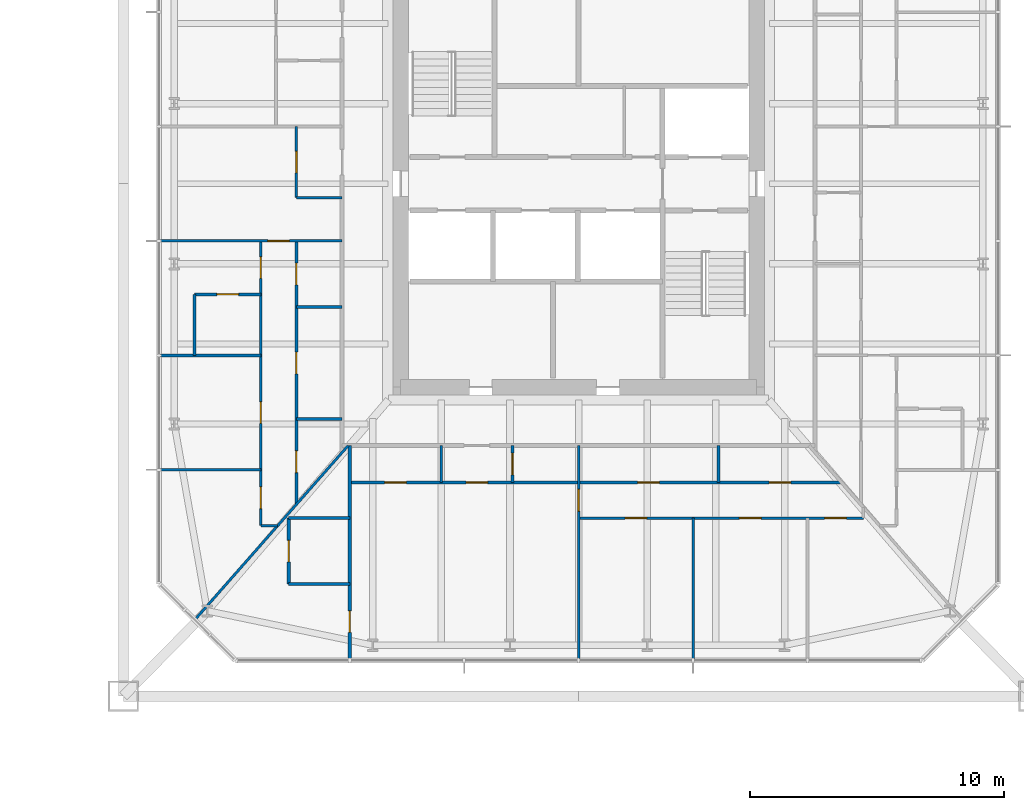
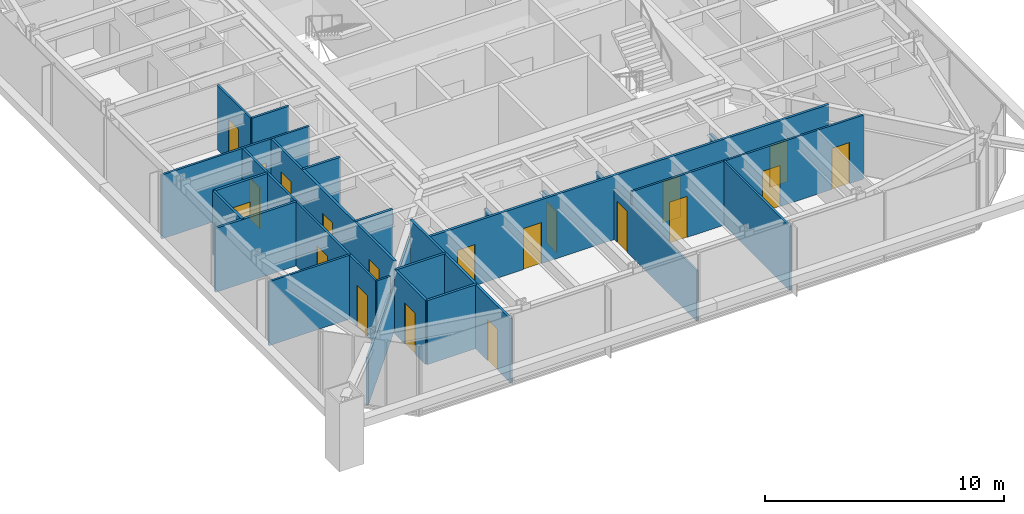
# One storey, part 19 of 27: 24 walls, 20 doors, 20 openings.
"""IFC4 building model written with IfcOpenShell, lengths in metres."""

from ifc_helpers import new_model, si_unit, direction, frame, frame_2d, origin, place, context, subcontext, project, spatial, rectangle, extrude, material, layer, layer_set, type_object, element, fill, save


model = new_model("IFC4")

# Units and contexts
model_context = context("Model", 3, precision=1e-05, world=origin(), true_north=direction((0.0, 1.0)))
body_context = subcontext(model_context, "Body", "Model", "MODEL_VIEW")
ifc_project = project(units=[si_unit("LENGTHUNIT", "METRE"), si_unit("AREAUNIT", "SQUARE_METRE"), si_unit("VOLUMEUNIT", "CUBIC_METRE"), si_unit("PLANEANGLEUNIT", "RADIAN"), si_unit("MASSUNIT", "GRAM", prefix="KILO")], contexts=[model_context])

# Site, building, storey
site_placement = place(None, origin())
site = spatial("IfcSite", under=ifc_project, at=site_placement, CompositionType="ELEMENT")
building_placement = place(site_placement, origin())
building = spatial("IfcBuilding", under=site, at=building_placement, Name="Iwan Alto Co-Living Towers", CompositionType="ELEMENT")
storey_placement = place(building_placement, frame((0.0, 0.0, 53.5)))
storey = spatial("IfcBuildingStorey", under=building, at=storey_placement, Name="L14", CompositionType="ELEMENT", Elevation=53.5)

# Wall
ifc_material_1 = material(Name="Gypsum board")
ifc_layer_1 = layer(ifc_material_1, 0.012451171875, Name="Board", Category="Finish")
ifc_material_2 = material(Name="Steel ASTM A1003 ST33H cold-formed studs", Category="steel")
ifc_layer_2 = layer(ifc_material_2, 0.074951171875, Name="Studs", Category="Framing")
ifc_layer_3 = layer(ifc_material_1, 0.012451171875, Name="Board", Category="Finish")
ifc_layer_set_1 = layer_set([ifc_layer_1, ifc_layer_2, ifc_layer_3], Name="PARTITION 100")
wall_type_1 = type_object("IfcWallType", Name="PARTITION 100", PredefinedType="PARTITIONING", material=ifc_layer_set_1)
wall_1_placement = place(storey_placement, frame((50.5, -13.449951171875, 0.0), z_axis=(0.0, 0.0, 1.0), x_axis=(1.0, 0.0, 0.0)))
element("IfcWall", 1, at=wall_1_placement, inside=storey, type_object=wall_type_1, Name="Partition L14", PredefinedType="PARTITIONING", context=body_context, shape_type="SweptSolid", body=[
    extrude(rectangle(XDim=0.6640625, YDim=0.10009765625, at=frame_2d((0.33203125, 0.0))), origin(), (0.0, 0.0, 1.0), 3.27001953125),
])

# Wall, openings, doors
wall_2_placement = place(storey_placement, frame((63.0, -13.14990234375, 0.0), z_axis=(0.0, 0.0, 1.0), x_axis=(1.0, 0.0, 0.0)))
wall_2 = element("IfcWall", 2, at=wall_2_placement, inside=storey, type_object=wall_type_1, Name="Partition L14", PredefinedType="PARTITIONING", context=body_context, shape_type="SweptSolid", body=[
    extrude(rectangle(XDim=11.199951171875, YDim=0.10009765625, at=frame_2d((5.60009765625, 0.0))), origin(), (0.0, 0.0, 1.0), 3.27001953125),
])
opening_1_placement = place(wall_2_placement, frame((1.824951171875, 0.0, 0.0)))
opening_1 = element("IfcOpeningElement", 3, at=opening_1_placement, cuts=wall_2, Name="Opening D2", PredefinedType="OPENING", context=body_context, shape_type="SweptSolid", body=[
    extrude(rectangle(XDim=0.85009765625, YDim=2.10009765625, at=frame_2d((0.425048828125, 1.050048828125))), frame((0.0, 0.06005859375, 0.0), z_axis=(0.0, -1.0, 0.0), x_axis=(1.0, 0.0, 0.0)), (0.0, 0.0, 1.0), 0.1201171875),
])
opening_2_placement = place(wall_2_placement, frame((6.324951171875, 0.0, 0.0)))
opening_2 = element("IfcOpeningElement", 4, at=opening_2_placement, cuts=wall_2, Name="Opening D2", PredefinedType="OPENING", context=body_context, shape_type="SweptSolid", body=[
    extrude(rectangle(XDim=0.85009765625, YDim=2.10009765625, at=frame_2d((0.425048828125, 1.050048828125))), frame((0.0, 0.06005859375, 0.0), z_axis=(0.0, -1.0, 0.0), x_axis=(1.0, 0.0, 0.0)), (0.0, 0.0, 1.0), 0.1201171875),
])
opening_3_placement = place(wall_2_placement, frame((9.675048828125, 0.0, 0.0)))
opening_3 = element("IfcOpeningElement", 5, at=opening_3_placement, cuts=wall_2, Name="Opening D2", PredefinedType="OPENING", context=body_context, shape_type="SweptSolid", body=[
    extrude(rectangle(XDim=0.85009765625, YDim=2.10009765625, at=frame_2d((0.425048828125, 1.050048828125))), frame((0.0, 0.06005859375, 0.0), z_axis=(0.0, -1.0, 0.0), x_axis=(1.0, 0.0, 0.0)), (0.0, 0.0, 1.0), 0.1201171875),
])
ifc_material_3 = material(Name="Timber leaf in steel frame", Category="steel")
door_type = type_object("IfcDoorType", Name="ROOM DOOR 850X2100", OperationType="SINGLE_SWING_LEFT", PredefinedType="DOOR", material=ifc_material_3)
door_1_placement = place(opening_1_placement, frame((0.85009765625, 0.0, 0.0), z_axis=(0.0, 0.0, 1.0), x_axis=(-1.0, 0.0, 0.0)))
door_1 = element("IfcDoor", 6, at=door_1_placement, inside=storey, type_object=door_type, Name="Study door L14", OperationType="SINGLE_SWING_RIGHT", OverallHeight=2.10009765625, OverallWidth=0.85009765625, PredefinedType="DOOR", context=body_context, shape_type="SweptSolid", body=[
    extrude(rectangle(XDim=0.85009765625, YDim=2.10009765625, at=frame_2d((0.425048828125, 1.050048828125))), frame((0.0, 0.02490234375, 0.0), z_axis=(0.0, -1.0, 0.0), x_axis=(1.0, 0.0, 0.0)), (0.0, 0.0, 1.0), 0.050048828125),
])
fill(opening_1, door_1)
door_2_placement = place(opening_2_placement, frame((0.85009765625, 0.0, 0.0), z_axis=(0.0, 0.0, 1.0), x_axis=(-1.0, 0.0, 0.0)))
door_2 = element("IfcDoor", 7, at=door_2_placement, inside=storey, type_object=door_type, Name="Bedroom door L14", OperationType="SINGLE_SWING_RIGHT", OverallHeight=2.10009765625, OverallWidth=0.85009765625, PredefinedType="DOOR", context=body_context, shape_type="SweptSolid", body=[
    extrude(rectangle(XDim=0.85009765625, YDim=2.10009765625, at=frame_2d((0.425048828125, 1.050048828125))), frame((0.0, 0.02490234375, 0.0), z_axis=(0.0, -1.0, 0.0), x_axis=(1.0, 0.0, 0.0)), (0.0, 0.0, 1.0), 0.050048828125),
])
fill(opening_2, door_2)
door_3_placement = place(opening_3_placement, frame((0.85009765625, 0.0, 0.0), z_axis=(0.0, 0.0, 1.0), x_axis=(-1.0, 0.0, 0.0)))
door_3 = element("IfcDoor", 8, at=door_3_placement, inside=storey, type_object=door_type, Name="Bedroom door L14", OperationType="SINGLE_SWING_RIGHT", OverallHeight=2.10009765625, OverallWidth=0.85009765625, PredefinedType="DOOR", context=body_context, shape_type="SweptSolid", body=[
    extrude(rectangle(XDim=0.85009765625, YDim=2.10009765625, at=frame_2d((0.425048828125, 1.050048828125))), frame((0.0, 0.02490234375, 0.0), z_axis=(0.0, -1.0, 0.0), x_axis=(1.0, 0.0, 0.0)), (0.0, 0.0, 1.0), 0.050048828125),
])
fill(opening_3, door_3)

# Wall
wall_3_placement = place(storey_placement, frame((46.56005859375, -11.25, 0.0), z_axis=(0.0, 0.0, 1.0), x_axis=(1.0, 0.0, 0.0)))
element("IfcWall", 9, at=wall_3_placement, inside=storey, type_object=wall_type_1, Name="Partition L14", PredefinedType="PARTITIONING", context=body_context, shape_type="SweptSolid", body=[
    extrude(rectangle(XDim=3.93994140625, YDim=0.10009765625, at=frame_2d((1.969970703125, 0.0))), origin(), (0.0, 0.0, 1.0), 3.27001953125),
])

# Wall, opening, door
wall_4_placement = place(storey_placement, frame((46.56005859375, -2.25, 0.0), z_axis=(0.0, 0.0, 1.0), x_axis=(1.0, 0.0, 0.0)))
wall_4 = element("IfcWall", 10, at=wall_4_placement, inside=storey, type_object=wall_type_1, Name="Partition L14", PredefinedType="PARTITIONING", context=body_context, shape_type="SweptSolid", body=[
    extrude(rectangle(XDim=7.139892578125, YDim=0.10009765625, at=frame_2d((3.56982421875, 0.0))), origin(), (0.0, 0.0, 1.0), 3.27001953125),
])
opening_4_placement = place(wall_4_placement, frame((4.215087890625, 0.0, 0.0)))
opening_4 = element("IfcOpeningElement", 11, at=opening_4_placement, cuts=wall_4, Name="Opening D2", PredefinedType="OPENING", context=body_context, shape_type="SweptSolid", body=[
    extrude(rectangle(XDim=0.85009765625, YDim=2.10009765625, at=frame_2d((0.425048828125, 1.050048828125))), frame((0.0, 0.06005859375, 0.0), z_axis=(0.0, -1.0, 0.0), x_axis=(1.0, 0.0, 0.0)), (0.0, 0.0, 1.0), 0.1201171875),
])
door_4_placement = place(opening_4_placement, origin())
door_4 = element("IfcDoor", 12, at=door_4_placement, inside=storey, type_object=door_type, Name="Apartment hall door L14", OperationType="SINGLE_SWING_RIGHT", OverallHeight=2.10009765625, OverallWidth=0.85009765625, PredefinedType="DOOR", context=body_context, shape_type="SweptSolid", body=[
    extrude(rectangle(XDim=0.85009765625, YDim=2.10009765625, at=frame_2d((0.425048828125, 1.050048828125))), frame((0.0, 0.02490234375, 0.0), z_axis=(0.0, -1.0, 0.0), x_axis=(1.0, 0.0, 0.0)), (0.0, 0.0, 1.0), 0.050048828125),
])
fill(opening_4, door_4)

# Walls
wall_5_placement = place(storey_placement, frame((51.89990234375, -0.550048828125, 0.0), z_axis=(0.0, 0.0, 1.0), x_axis=(1.0, 0.0, 0.0)))
element("IfcWall", 13, at=wall_5_placement, inside=storey, type_object=wall_type_1, Name="Partition L14", PredefinedType="PARTITIONING", context=body_context, shape_type="SweptSolid", body=[
    extrude(rectangle(XDim=1.800048828125, YDim=0.10009765625, at=frame_2d((0.89990234375, 0.0))), origin(), (0.0, 0.0, 1.0), 3.27001953125),
])
wall_6_placement = place(storey_placement, frame((47.944091796875, -17.10888671875, 0.0), z_axis=(0.0, 0.0, 1.0), x_axis=(0.660638210404, 0.750704439146, 0.0)))
element("IfcWall", 14, at=wall_6_placement, inside=storey, type_object=wall_type_1, Name="Partition L14", PredefinedType="PARTITIONING", context=body_context, shape_type="SweptSolid", body=[
    extrude(rectangle(XDim=9.06982421875, YDim=0.10009765625, at=frame_2d((4.534912109375, 0.0))), origin(), (0.0, 0.0, 1.0), 2.42919921875),
])
wall_7_placement = place(storey_placement, frame((67.5, -18.68994140625, 0.0), z_axis=(0.0, 0.0, 1.0), x_axis=(0.0, 1.0, 0.0)))
element("IfcWall", 15, at=wall_7_placement, inside=storey, type_object=wall_type_1, Name="Partition L14", PredefinedType="PARTITIONING", context=body_context, shape_type="SweptSolid", body=[
    extrude(rectangle(XDim=5.5400390625, YDim=0.10009765625, at=frame_2d((2.77001953125, 0.0))), origin(), (0.0, 0.0, 1.0), 3.27001953125),
])

# Wall, opening, door
wall_8_placement = place(storey_placement, frame((63.0, -18.68994140625, 0.0), z_axis=(0.0, 0.0, 1.0), x_axis=(0.0, 1.0, 0.0)))
wall_8 = element("IfcWall", 16, at=wall_8_placement, inside=storey, type_object=wall_type_1, Name="Partition L14", PredefinedType="PARTITIONING", context=body_context, shape_type="SweptSolid", body=[
    extrude(rectangle(XDim=8.389892578125, YDim=0.10009765625, at=frame_2d((4.19482421875, 0.0))), origin(), (0.0, 0.0, 1.0), 2.586669921875),
])
opening_5_placement = place(wall_8_placement, frame((5.81494140625, 0.0, 0.0)))
opening_5 = element("IfcOpeningElement", 17, at=opening_5_placement, cuts=wall_8, Name="Opening D2", PredefinedType="OPENING", context=body_context, shape_type="SweptSolid", body=[
    extrude(rectangle(XDim=0.85009765625, YDim=2.10009765625, at=frame_2d((0.425048828125, 1.050048828125))), frame((0.0, 0.06005859375, 0.0), z_axis=(0.0, -1.0, 0.0), x_axis=(1.0, 0.0, 0.0)), (0.0, 0.0, 1.0), 0.1201171875),
])
door_5_placement = place(opening_5_placement, origin())
door_5 = element("IfcDoor", 18, at=door_5_placement, inside=storey, type_object=door_type, Name="Apartment hall door L14", OperationType="SINGLE_SWING_RIGHT", OverallHeight=2.10009765625, OverallWidth=0.85009765625, PredefinedType="DOOR", context=body_context, shape_type="SweptSolid", body=[
    extrude(rectangle(XDim=0.85009765625, YDim=2.10009765625, at=frame_2d((0.425048828125, 1.050048828125))), frame((0.0, 0.02490234375, 0.0), z_axis=(0.0, -1.0, 0.0), x_axis=(1.0, 0.0, 0.0)), (0.0, 0.0, 1.0), 0.050048828125),
])
fill(opening_5, door_5)

# Wall
wall_9_placement = place(storey_placement, frame((57.60009765625, -11.75, 0.0), z_axis=(0.0, 0.0, 1.0), x_axis=(0.0, 1.0, 0.0)))
element("IfcWall", 19, at=wall_9_placement, inside=storey, type_object=wall_type_1, Name="Partition L14", PredefinedType="PARTITIONING", context=body_context, shape_type="SweptSolid", body=[
    extrude(rectangle(XDim=1.449951171875, YDim=0.10009765625, at=frame_2d((0.72509765625, 0.0))), origin(), (0.0, 0.0, 1.0), 2.586669921875),
])

# Wall, opening, door
wall_10_placement = place(storey_placement, frame((51.89990234375, -0.550048828125, 0.0), z_axis=(0.0, 0.0, 1.0), x_axis=(0.0, 1.0, 0.0)))
wall_10 = element("IfcWall", 20, at=wall_10_placement, inside=storey, type_object=wall_type_1, Name="Partition L14", PredefinedType="PARTITIONING", context=body_context, shape_type="SweptSolid", body=[
    extrude(rectangle(XDim=2.800048828125, YDim=0.10009765625, at=frame_2d((1.39990234375, 0.0))), origin(), (0.0, 0.0, 1.0), 3.27001953125),
])
opening_6_placement = place(wall_10_placement, frame((0.97509765625, 0.0, 0.0)))
opening_6 = element("IfcOpeningElement", 21, at=opening_6_placement, cuts=wall_10, Name="Opening D2", PredefinedType="OPENING", context=body_context, shape_type="SweptSolid", body=[
    extrude(rectangle(XDim=0.85009765625, YDim=2.10009765625, at=frame_2d((0.425048828125, 1.050048828125))), frame((0.0, 0.06005859375, 0.0), z_axis=(0.0, -1.0, 0.0), x_axis=(1.0, 0.0, 0.0)), (0.0, 0.0, 1.0), 0.1201171875),
])
door_6_placement = place(opening_6_placement, origin())
door_6 = element("IfcDoor", 22, at=door_6_placement, inside=storey, type_object=door_type, Name="Apartment foyer door L14", OperationType="SINGLE_SWING_RIGHT", OverallHeight=2.10009765625, OverallWidth=0.85009765625, PredefinedType="DOOR", context=body_context, shape_type="SweptSolid", body=[
    extrude(rectangle(XDim=0.85009765625, YDim=2.10009765625, at=frame_2d((0.425048828125, 1.050048828125))), frame((0.0, 0.02490234375, 0.0), z_axis=(0.0, -1.0, 0.0), x_axis=(1.0, 0.0, 0.0)), (0.0, 0.0, 1.0), 0.050048828125),
])
fill(opening_6, door_6)

# Wall, openings, doors
wall_11_placement = place(storey_placement, frame((50.5, -13.449951171875, 0.0), z_axis=(0.0, 0.0, 1.0), x_axis=(0.0, 1.0, 0.0)))
wall_11 = element("IfcWall", 23, at=wall_11_placement, inside=storey, type_object=wall_type_1, Name="Partition L14", PredefinedType="PARTITIONING", context=body_context, shape_type="SweptSolid", body=[
    extrude(rectangle(XDim=11.199951171875, YDim=0.10009765625, at=frame_2d((5.60009765625, 0.0))), origin(), (0.0, 0.0, 1.0), 3.27001953125),
])
opening_7_placement = place(wall_11_placement, frame((9.72509765625, 0.0, 0.0)))
opening_7 = element("IfcOpeningElement", 24, at=opening_7_placement, cuts=wall_11, Name="Opening D2", PredefinedType="OPENING", context=body_context, shape_type="SweptSolid", body=[
    extrude(rectangle(XDim=0.85009765625, YDim=2.10009765625, at=frame_2d((0.425048828125, 1.050048828125))), frame((0.0, 0.06005859375, 0.0), z_axis=(0.0, -1.0, 0.0), x_axis=(1.0, 0.0, 0.0)), (0.0, 0.0, 1.0), 0.1201171875),
])
opening_8_placement = place(wall_11_placement, frame((4.02490234375, 0.0, 0.0)))
opening_8 = element("IfcOpeningElement", 25, at=opening_8_placement, cuts=wall_11, Name="Opening D2", PredefinedType="OPENING", context=body_context, shape_type="SweptSolid", body=[
    extrude(rectangle(XDim=0.85009765625, YDim=2.10009765625, at=frame_2d((0.425048828125, 1.050048828125))), frame((0.0, 0.06005859375, 0.0), z_axis=(0.0, -1.0, 0.0), x_axis=(1.0, 0.0, 0.0)), (0.0, 0.0, 1.0), 0.1201171875),
])
opening_9_placement = place(wall_11_placement, frame((0.675048828125, 0.0, 0.0)))
opening_9 = element("IfcOpeningElement", 26, at=opening_9_placement, cuts=wall_11, Name="Opening D2", PredefinedType="OPENING", context=body_context, shape_type="SweptSolid", body=[
    extrude(rectangle(XDim=0.85009765625, YDim=2.10009765625, at=frame_2d((0.425048828125, 1.050048828125))), frame((0.0, 0.06005859375, 0.0), z_axis=(0.0, -1.0, 0.0), x_axis=(1.0, 0.0, 0.0)), (0.0, 0.0, 1.0), 0.1201171875),
])
door_7_placement = place(opening_7_placement, origin())
door_7 = element("IfcDoor", 27, at=door_7_placement, inside=storey, type_object=door_type, Name="Bedroom door L14", OperationType="SINGLE_SWING_LEFT", OverallHeight=2.10009765625, OverallWidth=0.85009765625, PredefinedType="DOOR", context=body_context, shape_type="SweptSolid", body=[
    extrude(rectangle(XDim=0.85009765625, YDim=2.10009765625, at=frame_2d((0.425048828125, 1.050048828125))), frame((0.0, 0.02490234375, 0.0), z_axis=(0.0, -1.0, 0.0), x_axis=(1.0, 0.0, 0.0)), (0.0, 0.0, 1.0), 0.050048828125),
])
fill(opening_7, door_7)
door_8_placement = place(opening_8_placement, origin())
door_8 = element("IfcDoor", 28, at=door_8_placement, inside=storey, type_object=door_type, Name="Bedroom door L14", OperationType="SINGLE_SWING_LEFT", OverallHeight=2.10009765625, OverallWidth=0.85009765625, PredefinedType="DOOR", context=body_context, shape_type="SweptSolid", body=[
    extrude(rectangle(XDim=0.85009765625, YDim=2.10009765625, at=frame_2d((0.425048828125, 1.050048828125))), frame((0.0, 0.02490234375, 0.0), z_axis=(0.0, -1.0, 0.0), x_axis=(1.0, 0.0, 0.0)), (0.0, 0.0, 1.0), 0.050048828125),
])
fill(opening_8, door_8)
door_9_placement = place(opening_9_placement, origin())
door_9 = element("IfcDoor", 29, at=door_9_placement, inside=storey, type_object=door_type, Name="Bedroom door L14", OperationType="SINGLE_SWING_RIGHT", OverallHeight=2.10009765625, OverallWidth=0.85009765625, PredefinedType="DOOR", context=body_context, shape_type="SweptSolid", body=[
    extrude(rectangle(XDim=0.85009765625, YDim=2.10009765625, at=frame_2d((0.425048828125, 1.050048828125))), frame((0.0, 0.02490234375, 0.0), z_axis=(0.0, -1.0, 0.0), x_axis=(1.0, 0.0, 0.0)), (0.0, 0.0, 1.0), 0.050048828125),
])
fill(opening_9, door_9)

# Walls
ifc_material_4 = material(Name="Cement board")
ifc_layer_4 = layer(ifc_material_4, 0.012451171875, Name="Board", Category="Finish")
ifc_layer_5 = layer(ifc_material_2, 0.094970703125, Name="Studs", Category="Framing")
ifc_layer_6 = layer(ifc_material_4, 0.012451171875, Name="Board", Category="Finish")
ifc_layer_set_2 = layer_set([ifc_layer_4, ifc_layer_5, ifc_layer_6], Name="WET AREA PARTITION 120")
wall_type_2 = type_object("IfcWallType", Name="WET AREA PARTITION 120", PredefinedType="PARTITIONING", material=ifc_layer_set_2)
for number, where, z_axis, x_axis, name in (
    (30, (51.60009765625, -15.75, 0.0), (0.0, 0.0, 1.0), (1.0, 0.0, 0.0), "Partition L14"),
    (31, (51.60009765625, -13.14990234375, 0.0), (0.0, 0.0, 1.0), (1.0, 0.0, 0.0), "Partition L14"),
):
    element("IfcWall", number, at=place(storey_placement, frame(where, z_axis=z_axis, x_axis=x_axis)), inside=storey, type_object=wall_type_2, Name=name, PredefinedType="PARTITIONING", context=body_context, shape_type="SweptSolid", body=[
        extrude(rectangle(XDim=2.39990234375, YDim=0.1201171875, at=frame_2d((1.199951171875, 0.0))), origin(), (0.0, 0.0, 1.0), 3.27001953125),
    ])

# Wall, openings, doors
wall_12_placement = place(storey_placement, frame((54.0, -11.75, 0.0), z_axis=(0.0, 0.0, 1.0), x_axis=(1.0, 0.0, 0.0)))
wall_12 = element("IfcWall", 32, at=wall_12_placement, inside=storey, type_object=wall_type_2, Name="Partition L14", PredefinedType="PARTITIONING", context=body_context, shape_type="SweptSolid", body=[
    extrude(rectangle(XDim=19.340087890625, YDim=0.1201171875, at=frame_2d((9.669921875, 0.0))), origin(), (0.0, 0.0, 1.0), 3.27001953125),
])
opening_10_placement = place(wall_12_placement, frame((1.375, 0.0, 0.0)))
opening_10 = element("IfcOpeningElement", 33, at=opening_10_placement, cuts=wall_12, Name="Opening D2", PredefinedType="OPENING", context=body_context, shape_type="SweptSolid", body=[
    extrude(rectangle(XDim=0.85009765625, YDim=2.10009765625, at=frame_2d((0.425048828125, 1.050048828125))), frame((0.0, 0.070068359375, 0.0), z_axis=(0.0, -1.0, 0.0), x_axis=(1.0, 0.0, 0.0)), (0.0, 0.0, 1.0), 0.14013671875),
])
opening_11_placement = place(wall_12_placement, frame((4.574951171875, 0.0, 0.0)))
opening_11 = element("IfcOpeningElement", 34, at=opening_11_placement, cuts=wall_12, Name="Opening D2", PredefinedType="OPENING", context=body_context, shape_type="SweptSolid", body=[
    extrude(rectangle(XDim=0.85009765625, YDim=2.10009765625, at=frame_2d((0.425048828125, 1.050048828125))), frame((0.0, 0.070068359375, 0.0), z_axis=(0.0, -1.0, 0.0), x_axis=(1.0, 0.0, 0.0)), (0.0, 0.0, 1.0), 0.14013671875),
])
opening_12_placement = place(wall_12_placement, frame((11.324951171875, 0.0, 0.0)))
opening_12 = element("IfcOpeningElement", 35, at=opening_12_placement, cuts=wall_12, Name="Opening D2", PredefinedType="OPENING", context=body_context, shape_type="SweptSolid", body=[
    extrude(rectangle(XDim=0.85009765625, YDim=2.10009765625, at=frame_2d((0.425048828125, 1.050048828125))), frame((0.0, 0.070068359375, 0.0), z_axis=(0.0, -1.0, 0.0), x_axis=(1.0, 0.0, 0.0)), (0.0, 0.0, 1.0), 0.14013671875),
])
opening_13_placement = place(wall_12_placement, frame((16.4951171875, 0.0, 0.0)))
opening_13 = element("IfcOpeningElement", 36, at=opening_13_placement, cuts=wall_12, Name="Opening D2", PredefinedType="OPENING", context=body_context, shape_type="SweptSolid", body=[
    extrude(rectangle(XDim=0.85009765625, YDim=2.10009765625, at=frame_2d((0.425048828125, 1.050048828125))), frame((0.0, 0.070068359375, 0.0), z_axis=(0.0, -1.0, 0.0), x_axis=(1.0, 0.0, 0.0)), (0.0, 0.0, 1.0), 0.14013671875),
])
door_10_placement = place(opening_10_placement, frame((0.85009765625, 0.0, 0.0), z_axis=(0.0, 0.0, 1.0), x_axis=(-1.0, 0.0, 0.0)))
door_10 = element("IfcDoor", 37, at=door_10_placement, inside=storey, type_object=door_type, Name="Kitchen door L14", OperationType="SINGLE_SWING_RIGHT", OverallHeight=2.10009765625, OverallWidth=0.85009765625, PredefinedType="DOOR", context=body_context, shape_type="SweptSolid", body=[
    extrude(rectangle(XDim=0.85009765625, YDim=2.10009765625, at=frame_2d((0.425048828125, 1.050048828125))), frame((0.0, 0.02490234375, 0.0), z_axis=(0.0, -1.0, 0.0), x_axis=(1.0, 0.0, 0.0)), (0.0, 0.0, 1.0), 0.050048828125),
])
fill(opening_10, door_10)
door_11_placement = place(opening_11_placement, frame((0.85009765625, 0.0, 0.0), z_axis=(0.0, 0.0, 1.0), x_axis=(-1.0, 0.0, 0.0)))
door_11 = element("IfcDoor", 38, at=door_11_placement, inside=storey, type_object=door_type, Name="Apartment foyer door L14", OperationType="SINGLE_SWING_LEFT", OverallHeight=2.10009765625, OverallWidth=0.85009765625, PredefinedType="DOOR", context=body_context, shape_type="SweptSolid", body=[
    extrude(rectangle(XDim=0.85009765625, YDim=2.10009765625, at=frame_2d((0.425048828125, 1.050048828125))), frame((0.0, 0.02490234375, 0.0), z_axis=(0.0, -1.0, 0.0), x_axis=(1.0, 0.0, 0.0)), (0.0, 0.0, 1.0), 0.050048828125),
])
fill(opening_11, door_11)
door_12_placement = place(opening_12_placement, origin())
door_12 = element("IfcDoor", 39, at=door_12_placement, inside=storey, type_object=door_type, Name="Utility room door L14", OperationType="SINGLE_SWING_LEFT", OverallHeight=2.10009765625, OverallWidth=0.85009765625, PredefinedType="DOOR", context=body_context, shape_type="SweptSolid", body=[
    extrude(rectangle(XDim=0.85009765625, YDim=2.10009765625, at=frame_2d((0.425048828125, 1.050048828125))), frame((0.0, 0.02490234375, 0.0), z_axis=(0.0, -1.0, 0.0), x_axis=(1.0, 0.0, 0.0)), (0.0, 0.0, 1.0), 0.050048828125),
])
fill(opening_12, door_12)
door_13_placement = place(opening_13_placement, origin())
door_13 = element("IfcDoor", 40, at=door_13_placement, inside=storey, type_object=door_type, Name="Store room door L14", OperationType="SINGLE_SWING_RIGHT", OverallHeight=2.10009765625, OverallWidth=0.85009765625, PredefinedType="DOOR", context=body_context, shape_type="SweptSolid", body=[
    extrude(rectangle(XDim=0.85009765625, YDim=2.10009765625, at=frame_2d((0.425048828125, 1.050048828125))), frame((0.0, 0.02490234375, 0.0), z_axis=(0.0, -1.0, 0.0), x_axis=(1.0, 0.0, 0.0)), (0.0, 0.0, 1.0), 0.050048828125),
])
fill(opening_13, door_13)

# Walls
wall_13_placement = place(storey_placement, frame((51.89990234375, -9.25, 0.0), z_axis=(0.0, 0.0, 1.0), x_axis=(1.0, 0.0, 0.0)))
element("IfcWall", 41, at=wall_13_placement, inside=storey, type_object=wall_type_2, Name="Partition L14", PredefinedType="PARTITIONING", context=body_context, shape_type="SweptSolid", body=[
    extrude(rectangle(XDim=1.800048828125, YDim=0.1201171875, at=frame_2d((0.89990234375, 0.0))), origin(), (0.0, 0.0, 1.0), 3.27001953125),
])
wall_14_placement = place(storey_placement, frame((46.56005859375, -6.75, 0.0), z_axis=(0.0, 0.0, 1.0), x_axis=(1.0, 0.0, 0.0)))
element("IfcWall", 42, at=wall_14_placement, inside=storey, type_object=wall_type_2, Name="Partition L14", PredefinedType="PARTITIONING", context=body_context, shape_type="SweptSolid", body=[
    extrude(rectangle(XDim=3.93994140625, YDim=0.1201171875, at=frame_2d((1.969970703125, 0.0))), origin(), (0.0, 0.0, 1.0), 3.27001953125),
])
wall_15_placement = place(storey_placement, frame((51.89990234375, -4.85009765625, 0.0), z_axis=(0.0, 0.0, 1.0), x_axis=(1.0, 0.0, 0.0)))
element("IfcWall", 43, at=wall_15_placement, inside=storey, type_object=wall_type_2, Name="Partition L14", PredefinedType="PARTITIONING", context=body_context, shape_type="SweptSolid", body=[
    extrude(rectangle(XDim=1.800048828125, YDim=0.1201171875, at=frame_2d((0.89990234375, 0.0))), origin(), (0.0, 0.0, 1.0), 3.27001953125),
])

# Wall, opening, door
wall_16_placement = place(storey_placement, frame((47.89990234375, -4.35009765625, 0.0), z_axis=(0.0, 0.0, 1.0), x_axis=(1.0, 0.0, 0.0)))
wall_16 = element("IfcWall", 44, at=wall_16_placement, inside=storey, type_object=wall_type_2, Name="Partition L14", PredefinedType="PARTITIONING", context=body_context, shape_type="SweptSolid", body=[
    extrude(rectangle(XDim=2.60009765625, YDim=0.1201171875, at=frame_2d((1.300048828125, 0.0))), origin(), (0.0, 0.0, 1.0), 3.27001953125),
])
opening_14_placement = place(wall_16_placement, frame((0.875, 0.0, 0.0)))
opening_14 = element("IfcOpeningElement", 45, at=opening_14_placement, cuts=wall_16, Name="Opening D2", PredefinedType="OPENING", context=body_context, shape_type="SweptSolid", body=[
    extrude(rectangle(XDim=0.85009765625, YDim=2.10009765625, at=frame_2d((0.425048828125, 1.050048828125))), frame((0.0, 0.070068359375, 0.0), z_axis=(0.0, -1.0, 0.0), x_axis=(1.0, 0.0, 0.0)), (0.0, 0.0, 1.0), 0.14013671875),
])
door_14_placement = place(opening_14_placement, origin())
door_14 = element("IfcDoor", 46, at=door_14_placement, inside=storey, type_object=door_type, Name="En-suite shower room door L14", OperationType="SINGLE_SWING_RIGHT", OverallHeight=2.10009765625, OverallWidth=0.85009765625, PredefinedType="DOOR", context=body_context, shape_type="SweptSolid", body=[
    extrude(rectangle(XDim=0.85009765625, YDim=2.10009765625, at=frame_2d((0.425048828125, 1.050048828125))), frame((0.0, 0.02490234375, 0.0), z_axis=(0.0, -1.0, 0.0), x_axis=(1.0, 0.0, 0.0)), (0.0, 0.0, 1.0), 0.050048828125),
])
fill(opening_14, door_14)

# Wall
wall_17_placement = place(storey_placement, frame((68.5, -11.75, 0.0), z_axis=(0.0, 0.0, 1.0), x_axis=(0.0, 1.0, 0.0)))
element("IfcWall", 47, at=wall_17_placement, inside=storey, type_object=wall_type_2, Name="Partition L14", PredefinedType="PARTITIONING", context=body_context, shape_type="SweptSolid", body=[
    extrude(rectangle(XDim=1.449951171875, YDim=0.1201171875, at=frame_2d((0.72509765625, 0.0))), origin(), (0.0, 0.0, 1.0), 2.586669921875),
])

# Wall, opening, door
wall_18_placement = place(storey_placement, frame((60.39990234375, -11.75, 0.0), z_axis=(0.0, 0.0, 1.0), x_axis=(0.0, 1.0, 0.0)))
wall_18 = element("IfcWall", 48, at=wall_18_placement, inside=storey, type_object=wall_type_2, Name="Partition L14", PredefinedType="PARTITIONING", context=body_context, shape_type="SweptSolid", body=[
    extrude(rectangle(XDim=1.449951171875, YDim=0.1201171875, at=frame_2d((0.72509765625, 0.0))), origin(), (0.0, 0.0, 1.0), 2.508056640625),
])
opening_15_placement = place(wall_18_placement, frame((0.300048828125, 0.0, 0.0)))
opening_15 = element("IfcOpeningElement", 49, at=opening_15_placement, cuts=wall_18, Name="Opening D2", PredefinedType="OPENING", context=body_context, shape_type="SweptSolid", body=[
    extrude(rectangle(XDim=0.85009765625, YDim=2.10009765625, at=frame_2d((0.425048828125, 1.050048828125))), frame((0.0, 0.070068359375, 0.0), z_axis=(0.0, -1.0, 0.0), x_axis=(1.0, 0.0, 0.0)), (0.0, 0.0, 1.0), 0.14013671875),
])
door_15_placement = place(opening_15_placement, frame((0.85009765625, 0.0, 0.0), z_axis=(0.0, 0.0, 1.0), x_axis=(-1.0, 0.0, 0.0)))
door_15 = element("IfcDoor", 50, at=door_15_placement, inside=storey, type_object=door_type, Name="Shower room door L14", OperationType="SINGLE_SWING_RIGHT", OverallHeight=2.10009765625, OverallWidth=0.85009765625, PredefinedType="DOOR", context=body_context, shape_type="SweptSolid", body=[
    extrude(rectangle(XDim=0.85009765625, YDim=2.10009765625, at=frame_2d((0.425048828125, 1.050048828125))), frame((0.0, 0.02490234375, 0.0), z_axis=(0.0, -1.0, 0.0), x_axis=(1.0, 0.0, 0.0)), (0.0, 0.0, 1.0), 0.050048828125),
])
fill(opening_15, door_15)

wall_19_placement = place(storey_placement, frame((54.0, -18.68994140625, 0.0), z_axis=(0.0, 0.0, 1.0), x_axis=(0.0, 1.0, 0.0)))
wall_19 = element("IfcWall", 51, at=wall_19_placement, inside=storey, type_object=wall_type_2, Name="Partition L14", PredefinedType="PARTITIONING", context=body_context, shape_type="SweptSolid", body=[
    extrude(rectangle(XDim=8.389892578125, YDim=0.1201171875, at=frame_2d((4.19482421875, 0.0))), origin(), (0.0, 0.0, 1.0), 3.27001953125),
])
opening_16_placement = place(wall_19_placement, frame((1.044921875, 0.0, 0.0)))
opening_16 = element("IfcOpeningElement", 52, at=opening_16_placement, cuts=wall_19, Name="Opening D2", PredefinedType="OPENING", context=body_context, shape_type="SweptSolid", body=[
    extrude(rectangle(XDim=0.85009765625, YDim=2.10009765625, at=frame_2d((0.425048828125, 1.050048828125))), frame((0.0, 0.070068359375, 0.0), z_axis=(0.0, -1.0, 0.0), x_axis=(1.0, 0.0, 0.0)), (0.0, 0.0, 1.0), 0.14013671875),
])
door_16_placement = place(opening_16_placement, frame((0.85009765625, 0.0, 0.0), z_axis=(0.0, 0.0, 1.0), x_axis=(-1.0, 0.0, 0.0)))
door_16 = element("IfcDoor", 53, at=door_16_placement, inside=storey, type_object=door_type, Name="Bedroom door L14", OperationType="SINGLE_SWING_RIGHT", OverallHeight=2.10009765625, OverallWidth=0.85009765625, PredefinedType="DOOR", context=body_context, shape_type="SweptSolid", body=[
    extrude(rectangle(XDim=0.85009765625, YDim=2.10009765625, at=frame_2d((0.425048828125, 1.050048828125))), frame((0.0, 0.02490234375, 0.0), z_axis=(0.0, -1.0, 0.0), x_axis=(1.0, 0.0, 0.0)), (0.0, 0.0, 1.0), 0.050048828125),
])
fill(opening_16, door_16)

# Wall, openings, doors
wall_20_placement = place(storey_placement, frame((51.89990234375, -12.614013671875, 0.0), z_axis=(0.0, 0.0, 1.0), x_axis=(0.0, 1.0, 0.0)))
wall_20 = element("IfcWall", 54, at=wall_20_placement, inside=storey, type_object=wall_type_2, Name="Partition L14", PredefinedType="PARTITIONING", context=body_context, shape_type="SweptSolid", body=[
    extrude(rectangle(XDim=10.364013671875, YDim=0.1201171875, at=frame_2d((5.18212890625, 0.0))), origin(), (0.0, 0.0, 1.0), 3.27001953125),
])
opening_17_placement = place(wall_20_placement, frame((8.638916015625, 0.0, 0.0)))
opening_17 = element("IfcOpeningElement", 55, at=opening_17_placement, cuts=wall_20, Name="Opening D2", PredefinedType="OPENING", context=body_context, shape_type="SweptSolid", body=[
    extrude(rectangle(XDim=0.85009765625, YDim=2.10009765625, at=frame_2d((0.425048828125, 1.050048828125))), frame((0.0, 0.070068359375, 0.0), z_axis=(0.0, -1.0, 0.0), x_axis=(1.0, 0.0, 0.0)), (0.0, 0.0, 1.0), 0.14013671875),
])
opening_18_placement = place(wall_20_placement, frame((5.138916015625, 0.0, 0.0)))
opening_18 = element("IfcOpeningElement", 56, at=opening_18_placement, cuts=wall_20, Name="Opening D2", PredefinedType="OPENING", context=body_context, shape_type="SweptSolid", body=[
    extrude(rectangle(XDim=0.85009765625, YDim=2.10009765625, at=frame_2d((0.425048828125, 1.050048828125))), frame((0.0, 0.070068359375, 0.0), z_axis=(0.0, -1.0, 0.0), x_axis=(1.0, 0.0, 0.0)), (0.0, 0.0, 1.0), 0.14013671875),
])
opening_19_placement = place(wall_20_placement, frame((1.257080078125, 0.0, 0.0)))
opening_19 = element("IfcOpeningElement", 57, at=opening_19_placement, cuts=wall_20, Name="Opening D2", PredefinedType="OPENING", context=body_context, shape_type="SweptSolid", body=[
    extrude(rectangle(XDim=0.85009765625, YDim=2.10009765625, at=frame_2d((0.425048828125, 1.050048828125))), frame((0.0, 0.070068359375, 0.0), z_axis=(0.0, -1.0, 0.0), x_axis=(1.0, 0.0, 0.0)), (0.0, 0.0, 1.0), 0.14013671875),
])
door_17_placement = place(opening_17_placement, frame((0.85009765625, 0.0, 0.0), z_axis=(0.0, 0.0, 1.0), x_axis=(-1.0, 0.0, 0.0)))
door_17 = element("IfcDoor", 58, at=door_17_placement, inside=storey, type_object=door_type, Name="Bathroom door L14", OperationType="SINGLE_SWING_RIGHT", OverallHeight=2.10009765625, OverallWidth=0.85009765625, PredefinedType="DOOR", context=body_context, shape_type="SweptSolid", body=[
    extrude(rectangle(XDim=0.85009765625, YDim=2.10009765625, at=frame_2d((0.425048828125, 1.050048828125))), frame((0.0, 0.02490234375, 0.0), z_axis=(0.0, -1.0, 0.0), x_axis=(1.0, 0.0, 0.0)), (0.0, 0.0, 1.0), 0.050048828125),
])
fill(opening_17, door_17)
door_18_placement = place(opening_18_placement, frame((0.85009765625, 0.0, 0.0), z_axis=(0.0, 0.0, 1.0), x_axis=(-1.0, 0.0, 0.0)))
door_18 = element("IfcDoor", 59, at=door_18_placement, inside=storey, type_object=door_type, Name="Utility room door L14", OperationType="SINGLE_SWING_RIGHT", OverallHeight=2.10009765625, OverallWidth=0.85009765625, PredefinedType="DOOR", context=body_context, shape_type="SweptSolid", body=[
    extrude(rectangle(XDim=0.85009765625, YDim=2.10009765625, at=frame_2d((0.425048828125, 1.050048828125))), frame((0.0, 0.02490234375, 0.0), z_axis=(0.0, -1.0, 0.0), x_axis=(1.0, 0.0, 0.0)), (0.0, 0.0, 1.0), 0.050048828125),
])
fill(opening_18, door_18)
door_19_placement = place(opening_19_placement, frame((0.85009765625, 0.0, 0.0), z_axis=(0.0, 0.0, 1.0), x_axis=(-1.0, 0.0, 0.0)))
door_19 = element("IfcDoor", 60, at=door_19_placement, inside=storey, type_object=door_type, Name="Store room door L14", OperationType="SINGLE_SWING_RIGHT", OverallHeight=2.10009765625, OverallWidth=0.85009765625, PredefinedType="DOOR", context=body_context, shape_type="SweptSolid", body=[
    extrude(rectangle(XDim=0.85009765625, YDim=2.10009765625, at=frame_2d((0.425048828125, 1.050048828125))), frame((0.0, 0.02490234375, 0.0), z_axis=(0.0, -1.0, 0.0), x_axis=(1.0, 0.0, 0.0)), (0.0, 0.0, 1.0), 0.050048828125),
])
fill(opening_19, door_19)

# Wall, opening, door
wall_21_placement = place(storey_placement, frame((51.60009765625, -15.75, 0.0), z_axis=(0.0, 0.0, 1.0), x_axis=(0.0, 1.0, 0.0)))
wall_21 = element("IfcWall", 61, at=wall_21_placement, inside=storey, type_object=wall_type_2, Name="Partition L14", PredefinedType="PARTITIONING", context=body_context, shape_type="SweptSolid", body=[
    extrude(rectangle(XDim=2.60009765625, YDim=0.1201171875, at=frame_2d((1.300048828125, 0.0))), origin(), (0.0, 0.0, 1.0), 3.27001953125),
])
opening_20_placement = place(wall_21_placement, frame((0.875, 0.0, 0.0)))
opening_20 = element("IfcOpeningElement", 62, at=opening_20_placement, cuts=wall_21, Name="Opening D2", PredefinedType="OPENING", context=body_context, shape_type="SweptSolid", body=[
    extrude(rectangle(XDim=0.85009765625, YDim=2.10009765625, at=frame_2d((0.425048828125, 1.050048828125))), frame((0.0, 0.070068359375, 0.0), z_axis=(0.0, -1.0, 0.0), x_axis=(1.0, 0.0, 0.0)), (0.0, 0.0, 1.0), 0.14013671875),
])
door_20_placement = place(opening_20_placement, origin())
door_20 = element("IfcDoor", 63, at=door_20_placement, inside=storey, type_object=door_type, Name="En-suite shower room door L14", OperationType="SINGLE_SWING_RIGHT", OverallHeight=2.10009765625, OverallWidth=0.85009765625, PredefinedType="DOOR", context=body_context, shape_type="SweptSolid", body=[
    extrude(rectangle(XDim=0.85009765625, YDim=2.10009765625, at=frame_2d((0.425048828125, 1.050048828125))), frame((0.0, 0.02490234375, 0.0), z_axis=(0.0, -1.0, 0.0), x_axis=(1.0, 0.0, 0.0)), (0.0, 0.0, 1.0), 0.050048828125),
])
fill(opening_20, door_20)

# Wall
wall_22_placement = place(storey_placement, frame((47.89990234375, -6.75, 0.0), z_axis=(0.0, 0.0, 1.0), x_axis=(0.0, 1.0, 0.0)))
element("IfcWall", 64, at=wall_22_placement, inside=storey, type_object=wall_type_2, Name="Partition L14", PredefinedType="PARTITIONING", context=body_context, shape_type="SweptSolid", body=[
    extrude(rectangle(XDim=2.39990234375, YDim=0.1201171875, at=frame_2d((1.199951171875, 0.0))), origin(), (0.0, 0.0, 1.0), 3.27001953125),
])

save(model, "model.ifc")
